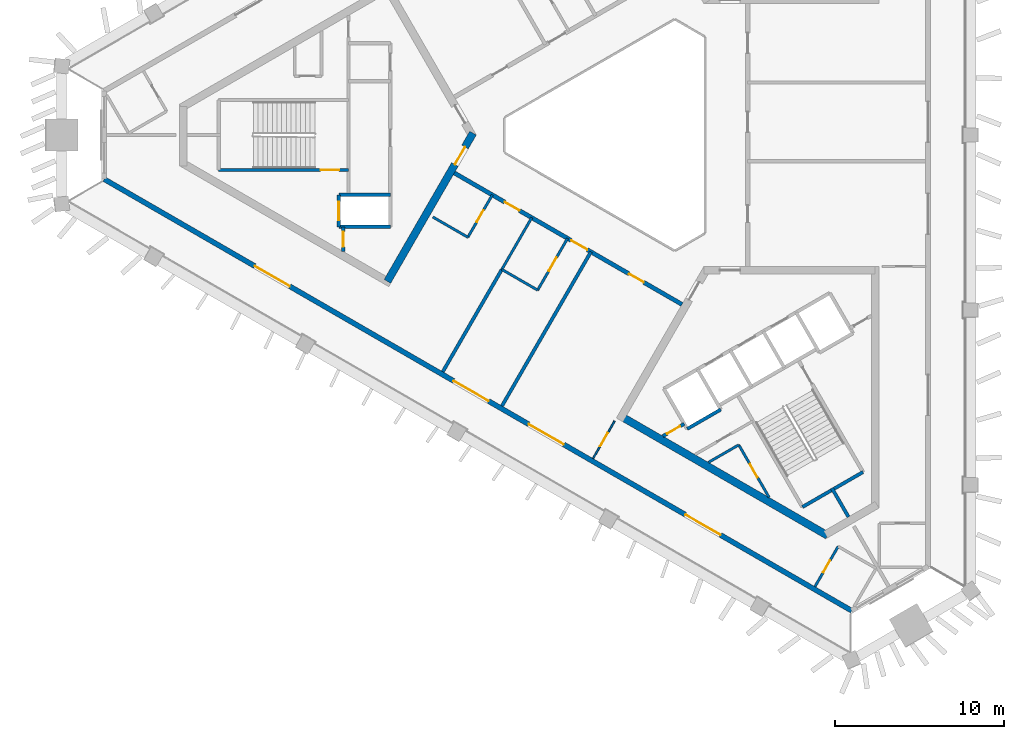
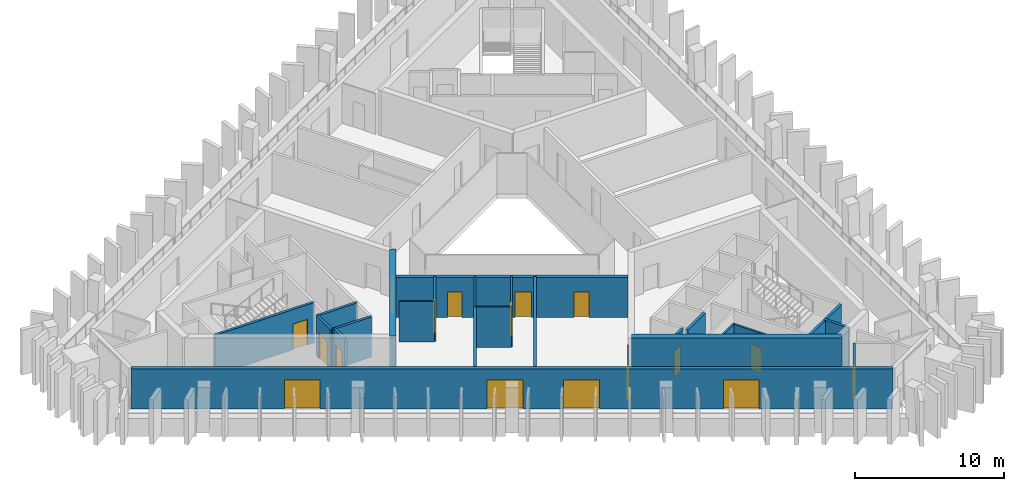
# One storey, part 2 of 9: 24 walls, 17 doors, 17 openings.
"""IFC4 building model written with IfcOpenShell, lengths in metres."""

from ifc_helpers import new_model, si_unit, direction, frame, frame_2d, origin, place, context, subcontext, project, spatial, rectangle, extrude, material, layer, layer_set, type_object, element, fill, save


model = new_model("IFC4")

# Units and contexts
model_context = context("Model", 3, precision=1e-05, world=origin(), true_north=direction((0.0, 1.0)))
body_context = subcontext(model_context, "Body", "Model", "MODEL_VIEW")
ifc_project = project(units=[si_unit("LENGTHUNIT", "METRE"), si_unit("AREAUNIT", "SQUARE_METRE"), si_unit("VOLUMEUNIT", "CUBIC_METRE"), si_unit("PLANEANGLEUNIT", "RADIAN"), si_unit("MASSUNIT", "GRAM", prefix="KILO")], contexts=[model_context])

# Site, building, storey
site_placement = place(None, origin())
site = spatial("IfcSite", under=ifc_project, at=site_placement, CompositionType="ELEMENT")
building_placement = place(site_placement, origin())
building = spatial("IfcBuilding", under=site, at=building_placement, Name="Jabali Bay Hotel Tower and Convention Centre", CompositionType="ELEMENT")
storey_placement = place(building_placement, frame((0.0, 0.0, 213.199951171875)))
storey = spatial("IfcBuildingStorey", under=building, at=storey_placement, Name="L52", CompositionType="ELEMENT", Elevation=213.199951171875)

# Wall, opening, door
ifc_material_1 = material(Name="Concrete C40", Category="concrete")
ifc_layer_1 = layer(ifc_material_1, 0.199951171875)
ifc_layer_set_1 = layer_set([ifc_layer_1], Name="Concrete C40")
wall_type_1 = type_object("IfcWallType", Name="Core partition wall 200", PredefinedType="PARTITIONING", material=ifc_layer_set_1)
wall_1_placement = place(storey_placement, frame((58.10009765625, 74.550048828125, 0.0), z_axis=(0.0, 0.0, 1.0), x_axis=(0.0, -1.0, 0.0)))
wall_1 = element("IfcWall", 1, at=wall_1_placement, inside=storey, type_object=wall_type_1, Name="Core wall 0.10 L52", PredefinedType="PARTITIONING", context=body_context, shape_type="SweptSolid", body=[
    extrude(rectangle(XDim=1.455078125, YDim=0.199951171875, at=frame_2d((0.7275390625, 0.0))), origin(), (0.0, 0.0, 1.0), 3.300048828125),
])
opening_1_placement = place(wall_1_placement, frame((0.277587890625, 0.0, 0.0)))
opening_1 = element("IfcOpeningElement", 2, at=opening_1_placement, cuts=wall_1, Name="Opening D1122", PredefinedType="OPENING", context=body_context, shape_type="SweptSolid", body=[
    extrude(rectangle(XDim=0.89990234375, YDim=2.10009765625, at=frame_2d((0.449951171875, 1.050048828125))), frame((0.0, 0.1103515625, 0.0), z_axis=(0.0, -1.0, 0.0), x_axis=(1.0, 0.0, 0.0)), (0.0, 0.0, 1.0), 0.220947265625),
])
ifc_material_2 = material(Name="Fire-rated steel door", Category="steel")
door_type_1 = type_object("IfcDoorType", Name="Vestibule fire door 900 x 2100", OperationType="NOTDEFINED", PredefinedType="NOTDEFINED", material=ifc_material_2)
door_1_placement = place(opening_1_placement, origin())
door_1 = element("IfcDoor", 3, at=door_1_placement, inside=storey, type_object=door_type_1, Name="Vestibule fire door D1122", OperationType="SINGLE_SWING_LEFT", OverallHeight=2.10009765625, OverallWidth=0.89990234375, PredefinedType="NOTDEFINED", context=body_context, shape_type="SweptSolid", body=[
    extrude(rectangle(XDim=0.89990234375, YDim=2.10009765625, at=frame_2d((0.449951171875, 1.050048828125))), frame((0.0, 0.02490234375, 0.0), z_axis=(0.0, -1.0, 0.0), x_axis=(1.0, 0.0, 0.0)), (0.0, 0.0, 1.0), 0.050048828125),
])
fill(opening_1, door_1)

# Wall
wall_2_placement = place(storey_placement, frame((87.090087890625, 59.0595703125, 0.0), z_axis=(0.0, 0.0, 1.0), x_axis=(0.500011643316, -0.866018681408, 0.0)))
element("IfcWall", 4, at=wall_2_placement, inside=storey, type_object=wall_type_1, Name="Core wall 2.5 L52", PredefinedType="PARTITIONING", context=body_context, shape_type="SweptSolid", body=[
    extrude(rectangle(XDim=1.97314453125, YDim=0.199951171875, at=frame_2d((0.986572265625, 0.0))), origin(), (0.0, 0.0, 1.0), 3.300048828125),
])

# Wall, opening, door
wall_3_placement = place(storey_placement, frame((77.070068359375, 62.142578125, 0.0), z_axis=(0.0, 0.0, 1.0), x_axis=(0.866013036001, 0.500021421018, 0.0)))
wall_3 = element("IfcWall", 5, at=wall_3_placement, inside=storey, type_object=wall_type_1, Name="Core wall 2.11 L52", PredefinedType="PARTITIONING", context=body_context, shape_type="SweptSolid", body=[
    extrude(rectangle(XDim=1.4609375, YDim=0.199951171875, at=frame_2d((0.73046875, 0.0))), origin(), (0.0, 0.0, 1.0), 3.300048828125),
])
opening_2_placement = place(wall_3_placement, frame((0.280517578125, 0.0, 0.0)))
opening_2 = element("IfcOpeningElement", 6, at=opening_2_placement, cuts=wall_3, Name="Opening D1138", PredefinedType="OPENING", context=body_context, shape_type="SweptSolid", body=[
    extrude(rectangle(XDim=0.89990234375, YDim=2.10009765625, at=frame_2d((0.449951171875, 1.050048828125))), frame((0.0, 0.1103515625, 0.0), z_axis=(0.0, -1.0, 0.0), x_axis=(1.0, 0.0, 0.0)), (0.0, 0.0, 1.0), 0.220947265625),
])
door_2_placement = place(opening_2_placement, origin())
door_2 = element("IfcDoor", 7, at=door_2_placement, inside=storey, type_object=door_type_1, Name="Vestibule fire door D1138", OperationType="SINGLE_SWING_LEFT", OverallHeight=2.10009765625, OverallWidth=0.89990234375, PredefinedType="NOTDEFINED", context=body_context, shape_type="SweptSolid", body=[
    extrude(rectangle(XDim=0.89990234375, YDim=2.10009765625, at=frame_2d((0.449951171875, 1.050048828125))), frame((0.0, 0.02490234375, 0.0), z_axis=(0.0, -1.0, 0.0), x_axis=(1.0, 0.0, 0.0)), (0.0, 0.0, 1.0), 0.050048828125),
])
fill(opening_2, door_2)

ifc_material_3 = material(Name="Fire-rated board partition")
ifc_layer_2 = layer(ifc_material_3, 0.14990234375)
ifc_layer_set_2 = layer_set([ifc_layer_2], Name="Fire-rated board partition")
wall_type_2 = type_object("IfcWallType", Name="Core room partition 150", PredefinedType="PARTITIONING", material=ifc_layer_set_2)
wall_4_placement = place(storey_placement, frame((81.56884765625, 61.622314453125, 0.0), z_axis=(0.0, 0.0, 1.0), x_axis=(0.500043557135, -0.866000254601, 0.0)))
wall_4 = element("IfcWall", 8, at=wall_4_placement, inside=storey, type_object=wall_type_2, Name="Core wall 2.1 L52", PredefinedType="PARTITIONING", context=body_context, shape_type="SweptSolid", body=[
    extrude(rectangle(XDim=3.597900390625, YDim=0.14990234375, at=frame_2d((1.798828125, 0.0))), origin(), (0.0, 0.0, 1.0), 3.300048828125),
])
opening_3_placement = place(wall_4_placement, frame((1.321533203125, 0.0, 0.0)))
opening_3 = element("IfcOpeningElement", 9, at=opening_3_placement, cuts=wall_4, Name="Opening D1140", PredefinedType="OPENING", context=body_context, shape_type="SweptSolid", body=[
    extrude(rectangle(XDim=0.89990234375, YDim=2.10009765625, at=frame_2d((0.449951171875, 1.050048828125))), frame((0.0, 0.08544921875, 0.0), z_axis=(0.0, -1.0, 0.0), x_axis=(1.0, 0.0, 0.0)), (0.0, 0.0, 1.0), 0.1708984375),
])
door_type_2 = type_object("IfcDoorType", Name="Core room door 900 x 2100", OperationType="NOTDEFINED", PredefinedType="NOTDEFINED", material=ifc_material_2)
door_3_placement = place(opening_3_placement, origin())
door_3 = element("IfcDoor", 10, at=door_3_placement, inside=storey, type_object=door_type_2, Name="Core room door D1140", OperationType="SINGLE_SWING_LEFT", OverallHeight=2.10009765625, OverallWidth=0.89990234375, PredefinedType="NOTDEFINED", context=body_context, shape_type="SweptSolid", body=[
    extrude(rectangle(XDim=0.89990234375, YDim=2.10009765625, at=frame_2d((0.449951171875, 1.050048828125))), frame((0.0, 0.02490234375, 0.0), z_axis=(0.0, -1.0, 0.0), x_axis=(1.0, 0.0, 0.0)), (0.0, 0.0, 1.0), 0.050048828125),
])
fill(opening_3, door_3)

# Wall
wall_5_placement = place(storey_placement, frame((79.77001953125, 60.583740234375, 0.0), z_axis=(0.0, 0.0, 1.0), x_axis=(0.866021168401, 0.500007335828, 0.0)))
element("IfcWall", 11, at=wall_5_placement, inside=storey, type_object=wall_type_2, Name="Core wall 2.17 L52", PredefinedType="PARTITIONING", context=body_context, shape_type="SweptSolid", body=[
    extrude(rectangle(XDim=2.0771484375, YDim=0.14990234375, at=frame_2d((1.03857421875, 0.0))), origin(), (0.0, 0.0, 1.0), 3.300048828125),
])

# Wall, opening, door
ifc_layer_3 = layer(ifc_material_1, 0.199951171875)
ifc_layer_set_3 = layer_set([ifc_layer_3], Name="Concrete C40")
wall_type_3 = type_object("IfcWallType", Name="Core stair wall 200", PredefinedType="SOLIDWALL", material=ifc_layer_set_3)
wall_6_placement = place(storey_placement, frame((58.419921875, 77.925048828125, 0.0), z_axis=(0.0, 0.0, 1.0), x_axis=(-1.0, 0.0, 0.0)))
wall_6 = element("IfcWall", 12, at=wall_6_placement, inside=storey, type_object=wall_type_3, Name="Core wall 0.5 L52", PredefinedType="SOLIDWALL", context=body_context, shape_type="SweptSolid", body=[
    extrude(rectangle(XDim=7.699951171875, YDim=0.199951171875, at=frame_2d((3.85009765625, 0.0))), origin(), (0.0, 0.0, 1.0), 3.300048828125),
])
opening_4_placement = place(wall_6_placement, frame((0.550048828125, 0.0, 0.0)))
opening_4 = element("IfcOpeningElement", 13, at=opening_4_placement, cuts=wall_6, Name="Opening D1124", PredefinedType="OPENING", context=body_context, shape_type="SweptSolid", body=[
    extrude(rectangle(XDim=1.10009765625, YDim=2.10009765625, at=frame_2d((0.550048828125, 1.050048828125))), frame((0.0, 0.1103515625, 0.0), z_axis=(0.0, -1.0, 0.0), x_axis=(1.0, 0.0, 0.0)), (0.0, 0.0, 1.0), 0.220947265625),
])
door_type_3 = type_object("IfcDoorType", Name="Stair fire door 1100 x 2100", OperationType="NOTDEFINED", PredefinedType="NOTDEFINED", material=ifc_material_2)
door_4_placement = place(opening_4_placement, origin())
door_4 = element("IfcDoor", 14, at=door_4_placement, inside=storey, type_object=door_type_3, Name="Stair fire door D1124", OperationType="SINGLE_SWING_RIGHT", OverallHeight=2.10009765625, OverallWidth=1.10009765625, PredefinedType="NOTDEFINED", context=body_context, shape_type="SweptSolid", body=[
    extrude(rectangle(XDim=1.10009765625, YDim=2.10009765625, at=frame_2d((0.550048828125, 1.050048828125))), frame((0.0, 0.02490234375, 0.0), z_axis=(0.0, -1.0, 0.0), x_axis=(1.0, 0.0, 0.0)), (0.0, 0.0, 1.0), 0.050048828125),
])
fill(opening_4, door_4)

# Walls
for number, where, z_axis, x_axis, name in (
    (15, (60.89990234375, 76.449951171875, 0.0), (0.0, 0.0, 1.0), (-1.0, 0.0, 0.0), "Core wall 0.6 L52"),
    (16, (60.89990234375, 74.550048828125, 0.0), (0.0, 0.0, 1.0), (-1.0, 0.0, 0.0), "Core wall 0.7 L52"),
):
    element("IfcWall", number, at=place(storey_placement, frame(where, z_axis=z_axis, x_axis=x_axis)), inside=storey, type_object=wall_type_3, Name=name, PredefinedType="SOLIDWALL", context=body_context, shape_type="SweptSolid", body=[
        extrude(rectangle(XDim=3.0498046875, YDim=0.199951171875, at=frame_2d((1.52490234375, 0.0))), origin(), (0.0, 0.0, 1.0), 3.300048828125),
    ])

# Wall, opening, door
wall_7_placement = place(storey_placement, frame((57.85009765625, 76.449951171875, 0.0), z_axis=(0.0, 0.0, 1.0), x_axis=(0.0, -1.0, 0.0)))
wall_7 = element("IfcWall", 17, at=wall_7_placement, inside=storey, type_object=wall_type_3, Name="Core wall 0.11 L52", PredefinedType="SOLIDWALL", context=body_context, shape_type="SweptSolid", body=[
    extrude(rectangle(XDim=1.89990234375, YDim=0.199951171875, at=frame_2d((0.949951171875, 0.0))), origin(), (0.0, 0.0, 1.0), 3.300048828125),
])
opening_5_placement = place(wall_7_placement, frame((0.39990234375, 0.0, 0.0)))
opening_5 = element("IfcOpeningElement", 18, at=opening_5_placement, cuts=wall_7, Name="Opening LD5-L52", PredefinedType="OPENING", context=body_context, shape_type="SweptSolid", body=[
    extrude(rectangle(XDim=1.10009765625, YDim=2.10009765625, at=frame_2d((0.550048828125, 1.050048828125))), frame((0.0, 0.1103515625, 0.0), z_axis=(0.0, -1.0, 0.0), x_axis=(1.0, 0.0, 0.0)), (0.0, 0.0, 1.0), 0.220947265625),
])
ifc_material_4 = material(Name="Stainless steel landing door", Category="steel")
door_type_4 = type_object("IfcDoorType", Name="Landing door 1100 x 2100", OperationType="NOTDEFINED", PredefinedType="NOTDEFINED", material=ifc_material_4)
door_5_placement = place(opening_5_placement, origin())
door_5 = element("IfcDoor", 19, at=door_5_placement, inside=storey, type_object=door_type_4, Name="Landing doors LD5-L52", OperationType="SLIDING_TO_RIGHT", OverallHeight=2.10009765625, OverallWidth=1.10009765625, PredefinedType="NOTDEFINED", context=body_context, shape_type="SweptSolid", body=[
    extrude(rectangle(XDim=1.10009765625, YDim=2.10009765625, at=frame_2d((0.550048828125, 1.050048828125))), frame((0.0, 0.02490234375, 0.0), z_axis=(0.0, -1.0, 0.0), x_axis=(1.0, 0.0, 0.0)), (0.0, 0.0, 1.0), 0.050048828125),
])
fill(opening_5, door_5)

# Walls
wall_8_placement = place(storey_placement, frame((78.51025390625, 62.570068359375, 0.0), z_axis=(0.0, 0.0, 1.0), x_axis=(0.866053019151, 0.499952165731, 0.0)))
element("IfcWall", 20, at=wall_8_placement, inside=storey, type_object=wall_type_3, Name="Core wall 2.14 L52", PredefinedType="SOLIDWALL", context=body_context, shape_type="SweptSolid", body=[
    extrude(rectangle(XDim=2.300048828125, YDim=0.199951171875, at=frame_2d((1.14990234375, 0.0))), origin(), (0.0, 0.0, 1.0), 3.300048828125),
])
wall_9_placement = place(storey_placement, frame((85.343017578125, 57.935302734375, 0.0), z_axis=(0.0, 0.0, 1.0), x_axis=(0.866004344652, 0.500036473714, 0.0)))
element("IfcWall", 21, at=wall_9_placement, inside=storey, type_object=wall_type_3, Name="Core wall 2.18 L52", PredefinedType="SOLIDWALL", context=body_context, shape_type="SweptSolid", body=[
    extrude(rectangle(XDim=4.150146484375, YDim=0.199951171875, at=frame_2d((2.0751953125, 0.0))), origin(), (0.0, 0.0, 1.0), 3.300048828125),
])

# Wall, opening, door
ifc_material_5 = material(Name="Concrete C60", Category="concrete")
ifc_layer_4 = layer(ifc_material_5, 0.449951171875)
ifc_layer_set_4 = layer_set([ifc_layer_4], Name="Concrete C60")
wall_type_4 = type_object("IfcWallType", Name="Core wall 450", PredefinedType="SHEAR", material=ifc_layer_set_4)
wall_10_placement = place(storey_placement, frame((60.7275390625, 71.318115234375, 0.0), z_axis=(0.0, 0.0, 1.0), x_axis=(0.500012416173, 0.866018235185, 0.0)))
wall_10 = element("IfcWall", 22, at=wall_10_placement, inside=storey, type_object=wall_type_4, Name="Core wall 1.5 L52", PredefinedType="SHEAR", context=body_context, shape_type="SweptSolid", body=[
    extrude(rectangle(XDim=10.155029296875, YDim=0.449951171875, at=frame_2d((5.07763671875, 0.0))), origin(), (0.0, 0.0, 1.0), 3.699951171875),
])
opening_6_placement = place(wall_10_placement, frame((8.0048828125, 0.0, 0.0)))
opening_6 = element("IfcOpeningElement", 23, at=opening_6_placement, cuts=wall_10, Name="Opening D1119", PredefinedType="OPENING", context=body_context, shape_type="SweptSolid", body=[
    extrude(rectangle(XDim=1.199951171875, YDim=2.10009765625, at=frame_2d((0.60009765625, 1.050048828125))), frame((0.0, 0.2353515625, 0.0), z_axis=(0.0, -1.0, 0.0), x_axis=(1.0, 0.0, 0.0)), (0.0, 0.0, 1.0), 0.470947265625),
])
door_type_5 = type_object("IfcDoorType", Name="Corridor end fire door 1200 x 2100", OperationType="NOTDEFINED", PredefinedType="NOTDEFINED", material=ifc_material_2)
door_6_placement = place(opening_6_placement, origin())
door_6 = element("IfcDoor", 24, at=door_6_placement, inside=storey, type_object=door_type_5, Name="Corridor end fire door D1119", OperationType="SINGLE_SWING_LEFT", OverallHeight=2.10009765625, OverallWidth=1.199951171875, PredefinedType="NOTDEFINED", context=body_context, shape_type="SweptSolid", body=[
    extrude(rectangle(XDim=1.199951171875, YDim=2.10009765625, at=frame_2d((0.60009765625, 1.050048828125))), frame((0.0, 0.02490234375, 0.0), z_axis=(0.0, -1.0, 0.0), x_axis=(1.0, 0.0, 0.0)), (0.0, 0.0, 1.0), 0.050048828125),
])
fill(opening_6, door_6)

# Wall
wall_11_placement = place(storey_placement, frame((74.617431640625, 63.298828125, 0.0), z_axis=(0.0, 0.0, 1.0), x_axis=(0.86602594008, -0.499999071108, 0.0)))
element("IfcWall", 25, at=wall_11_placement, inside=storey, type_object=wall_type_4, Name="Core wall 3.2 L52", PredefinedType="SHEAR", context=body_context, shape_type="SweptSolid", body=[
    extrude(rectangle(XDim=14.1083984375, YDim=0.449951171875, at=frame_2d((7.05419921875, 0.0))), origin(), (0.0, 0.0, 1.0), 3.699951171875),
])

# Wall, openings, doors
ifc_layer_5 = layer(ifc_material_5, 0.25)
ifc_layer_set_5 = layer_set([ifc_layer_5], Name="Concrete C60")
wall_type_5 = type_object("IfcWallType", Name="Corridor wall 250", PredefinedType="SHEAR", material=ifc_layer_set_5)
wall_12_placement = place(storey_placement, frame((64.699951171875, 77.748291015625, 0.0), z_axis=(0.0, 0.0, 1.0), x_axis=(0.866026492143, -0.499998114903, 0.0)))
wall_12 = element("IfcWall", 26, at=wall_12_placement, inside=storey, type_object=wall_type_5, Name="Corridor wall 3 L52", PredefinedType="SHEAR", context=body_context, shape_type="SweptSolid", body=[
    extrude(rectangle(XDim=15.58837890625, YDim=0.25, at=frame_2d((7.794189453125, 0.0))), origin(), (0.0, 0.0, 1.0), 3.300048828125),
])
opening_7_placement = place(wall_12_placement, frame((3.449951171875, 0.0, 0.0)))
opening_7 = element("IfcOpeningElement", 27, at=opening_7_placement, cuts=wall_12, Name="Opening 5215", PredefinedType="OPENING", context=body_context, shape_type="SweptSolid", body=[
    extrude(rectangle(XDim=1.0, YDim=2.10009765625, at=frame_2d((0.5, 1.050048828125))), frame((0.0, 0.135498046875, 0.0), z_axis=(0.0, -1.0, 0.0), x_axis=(1.0, 0.0, 0.0)), (0.0, 0.0, 1.0), 0.27099609375),
])
opening_8_placement = place(wall_12_placement, frame((8.003173828125, 0.0, 0.0)))
opening_8 = element("IfcOpeningElement", 28, at=opening_8_placement, cuts=wall_12, Name="Opening 5217", PredefinedType="OPENING", context=body_context, shape_type="SweptSolid", body=[
    extrude(rectangle(XDim=1.10009765625, YDim=2.10009765625, at=frame_2d((0.550048828125, 1.050048828125))), frame((0.0, 0.135498046875, 0.0), z_axis=(0.0, -1.0, 0.0), x_axis=(1.0, 0.0, 0.0)), (0.0, 0.0, 1.0), 0.27099609375),
])
opening_9_placement = place(wall_12_placement, frame((11.970703125, 0.0, 0.0)))
opening_9 = element("IfcOpeningElement", 29, at=opening_9_placement, cuts=wall_12, Name="Opening 5218", PredefinedType="OPENING", context=body_context, shape_type="SweptSolid", body=[
    extrude(rectangle(XDim=1.0, YDim=2.10009765625, at=frame_2d((0.5, 1.050048828125))), frame((0.0, 0.135498046875, 0.0), z_axis=(0.0, -1.0, 0.0), x_axis=(1.0, 0.0, 0.0)), (0.0, 0.0, 1.0), 0.27099609375),
])
ifc_material_6 = material(Name="Timber", Category="wood")
door_type_6 = type_object("IfcDoorType", Name="Accessible guest room door 1100 x 2100", OperationType="NOTDEFINED", PredefinedType="NOTDEFINED", material=ifc_material_6)
door_7_placement = place(opening_8_placement, origin())
door_7 = element("IfcDoor", 30, at=door_7_placement, inside=storey, type_object=door_type_6, Name="Door 5217", OperationType="SINGLE_SWING_RIGHT", OverallHeight=2.10009765625, OverallWidth=1.10009765625, PredefinedType="NOTDEFINED", context=body_context, shape_type="SweptSolid", body=[
    extrude(rectangle(XDim=1.10009765625, YDim=2.10009765625, at=frame_2d((0.550048828125, 1.050048828125))), frame((0.0, 0.02490234375, 0.0), z_axis=(0.0, -1.0, 0.0), x_axis=(1.0, 0.0, 0.0)), (0.0, 0.0, 1.0), 0.050048828125),
])
fill(opening_8, door_7)
door_type_7 = type_object("IfcDoorType", Name="Guest room door 1000 x 2100", OperationType="NOTDEFINED", PredefinedType="NOTDEFINED", material=ifc_material_6)
door_8_placement = place(opening_7_placement, origin())
door_8 = element("IfcDoor", 31, at=door_8_placement, inside=storey, type_object=door_type_7, Name="Door 5215", OperationType="SINGLE_SWING_LEFT", OverallHeight=2.10009765625, OverallWidth=1.0, PredefinedType="NOTDEFINED", context=body_context, shape_type="SweptSolid", body=[
    extrude(rectangle(XDim=1.0, YDim=2.10009765625, at=frame_2d((0.5, 1.050048828125))), frame((0.0, 0.02490234375, 0.0), z_axis=(0.0, -1.0, 0.0), x_axis=(1.0, 0.0, 0.0)), (0.0, 0.0, 1.0), 0.050048828125),
])
fill(opening_7, door_8)
door_9_placement = place(opening_9_placement, origin())
door_9 = element("IfcDoor", 32, at=door_9_placement, inside=storey, type_object=door_type_7, Name="Door 5218", OperationType="SINGLE_SWING_RIGHT", OverallHeight=2.10009765625, OverallWidth=1.0, PredefinedType="NOTDEFINED", context=body_context, shape_type="SweptSolid", body=[
    extrude(rectangle(XDim=1.0, YDim=2.10009765625, at=frame_2d((0.5, 1.050048828125))), frame((0.0, 0.02490234375, 0.0), z_axis=(0.0, -1.0, 0.0), x_axis=(1.0, 0.0, 0.0)), (0.0, 0.0, 1.0), 0.050048828125),
])
fill(opening_9, door_9)

ifc_layer_6 = layer(ifc_material_1, 0.300048828125)
ifc_layer_set_6 = layer_set([ifc_layer_6], Name="Concrete C40")
wall_type_6 = type_object("IfcWallType", Name="External wall 300", PredefinedType="SOLIDWALL", material=ifc_layer_set_6)
wall_13_placement = place(storey_placement, frame((88.265869140625, 51.78564453125, 0.0), z_axis=(0.0, 0.0, 1.0), x_axis=(-0.866026349667, 0.49999836168, 0.0)))
wall_13 = element("IfcWall", 33, at=wall_13_placement, inside=storey, type_object=wall_type_6, Name="External wall south-west face L52", PredefinedType="SOLIDWALL", context=body_context, shape_type="SweptSolid", body=[
    extrude(rectangle(XDim=51.191650390625, YDim=0.300048828125, at=frame_2d((25.595703125, 0.0))), origin(), (0.0, 0.0, 1.0), 3.300048828125),
])
opening_10_placement = place(wall_13_placement, frame((24.863525390625, 0.0, 0.0)))
opening_10 = element("IfcOpeningElement", 34, at=opening_10_placement, cuts=wall_13, Name="Opening SD1", PredefinedType="OPENING", context=body_context, shape_type="SweptSolid", body=[
    extrude(rectangle(XDim=2.39990234375, YDim=2.39990234375, at=frame_2d((1.199951171875, 1.199951171875))), frame((0.0, 0.16064453125, 0.0), z_axis=(0.0, -1.0, 0.0), x_axis=(1.0, 0.0, 0.0)), (0.0, 0.0, 1.0), 0.321044921875),
])
opening_11_placement = place(wall_13_placement, frame((19.71923828125, 0.0, 0.0)))
opening_11 = element("IfcOpeningElement", 35, at=opening_11_placement, cuts=wall_13, Name="Opening SD1", PredefinedType="OPENING", context=body_context, shape_type="SweptSolid", body=[
    extrude(rectangle(XDim=2.39990234375, YDim=2.39990234375, at=frame_2d((1.199951171875, 1.199951171875))), frame((0.0, 0.16064453125, 0.0), z_axis=(0.0, -1.0, 0.0), x_axis=(1.0, 0.0, 0.0)), (0.0, 0.0, 1.0), 0.321044921875),
])
opening_12_placement = place(wall_13_placement, frame((8.99267578125, 0.0, 0.0)))
opening_12 = element("IfcOpeningElement", 36, at=opening_12_placement, cuts=wall_13, Name="Opening SD1", PredefinedType="OPENING", context=body_context, shape_type="SweptSolid", body=[
    extrude(rectangle(XDim=2.39990234375, YDim=2.39990234375, at=frame_2d((1.199951171875, 1.199951171875))), frame((0.0, 0.16064453125, 0.0), z_axis=(0.0, -1.0, 0.0), x_axis=(1.0, 0.0, 0.0)), (0.0, 0.0, 1.0), 0.321044921875),
])
opening_13_placement = place(wall_13_placement, frame((38.484130859375, 0.0, 0.0)))
opening_13 = element("IfcOpeningElement", 37, at=opening_13_placement, cuts=wall_13, Name="Opening SD1", PredefinedType="OPENING", context=body_context, shape_type="SweptSolid", body=[
    extrude(rectangle(XDim=2.39990234375, YDim=2.39990234375, at=frame_2d((1.199951171875, 1.199951171875))), frame((0.0, 0.16064453125, 0.0), z_axis=(0.0, -1.0, 0.0), x_axis=(1.0, 0.0, 0.0)), (0.0, 0.0, 1.0), 0.321044921875),
])
ifc_material_7 = material(Name="Glass", Category="glass")
door_type_8 = type_object("IfcDoorType", Name="Loggia sliding door 2400 x 2400", OperationType="NOTDEFINED", PredefinedType="NOTDEFINED", material=ifc_material_7)
door_10_placement = place(opening_10_placement, origin())
door_10 = element("IfcDoor", 38, at=door_10_placement, inside=storey, type_object=door_type_8, Name="Loggia sliding door 5207", OperationType="SLIDING_TO_LEFT", OverallHeight=2.39990234375, OverallWidth=2.39990234375, PredefinedType="NOTDEFINED", context=body_context, shape_type="SweptSolid", body=[
    extrude(rectangle(XDim=2.39990234375, YDim=2.39990234375, at=frame_2d((1.199951171875, 1.199951171875))), frame((0.0, 0.02490234375, 0.0), z_axis=(0.0, -1.0, 0.0), x_axis=(1.0, 0.0, 0.0)), (0.0, 0.0, 1.0), 0.050048828125),
])
fill(opening_10, door_10)
door_11_placement = place(opening_11_placement, origin())
door_11 = element("IfcDoor", 39, at=door_11_placement, inside=storey, type_object=door_type_8, Name="Loggia sliding door 5208", OperationType="SLIDING_TO_RIGHT", OverallHeight=2.39990234375, OverallWidth=2.39990234375, PredefinedType="NOTDEFINED", context=body_context, shape_type="SweptSolid", body=[
    extrude(rectangle(XDim=2.39990234375, YDim=2.39990234375, at=frame_2d((1.199951171875, 1.199951171875))), frame((0.0, 0.02490234375, 0.0), z_axis=(0.0, -1.0, 0.0), x_axis=(1.0, 0.0, 0.0)), (0.0, 0.0, 1.0), 0.050048828125),
])
fill(opening_11, door_11)
door_12_placement = place(opening_12_placement, origin())
door_12 = element("IfcDoor", 40, at=door_12_placement, inside=storey, type_object=door_type_8, Name="Loggia sliding door 5208", OperationType="SLIDING_TO_LEFT", OverallHeight=2.39990234375, OverallWidth=2.39990234375, PredefinedType="NOTDEFINED", context=body_context, shape_type="SweptSolid", body=[
    extrude(rectangle(XDim=2.39990234375, YDim=2.39990234375, at=frame_2d((1.199951171875, 1.199951171875))), frame((0.0, 0.02490234375, 0.0), z_axis=(0.0, -1.0, 0.0), x_axis=(1.0, 0.0, 0.0)), (0.0, 0.0, 1.0), 0.050048828125),
])
fill(opening_12, door_12)
door_13_placement = place(opening_13_placement, origin())
door_13 = element("IfcDoor", 41, at=door_13_placement, inside=storey, type_object=door_type_8, Name="Loggia sliding door 5206", OperationType="SLIDING_TO_RIGHT", OverallHeight=2.39990234375, OverallWidth=2.39990234375, PredefinedType="NOTDEFINED", context=body_context, shape_type="SweptSolid", body=[
    extrude(rectangle(XDim=2.39990234375, YDim=2.39990234375, at=frame_2d((1.199951171875, 1.199951171875))), frame((0.0, 0.02490234375, 0.0), z_axis=(0.0, -1.0, 0.0), x_axis=(1.0, 0.0, 0.0)), (0.0, 0.0, 1.0), 0.050048828125),
])
fill(opening_13, door_13)

# Wall, opening, door
ifc_material_8 = material(Name="Plasterboard on steel stud", Category="steel")
ifc_layer_7 = layer(ifc_material_8, 0.10009765625)
ifc_layer_set_7 = layer_set([ifc_layer_7], Name="Plasterboard on steel stud")
wall_type_7 = type_object("IfcWallType", Name="Partition 100 unit", PredefinedType="PARTITIONING", material=ifc_layer_set_7)
wall_14_placement = place(storey_placement, frame((72.923828125, 60.8154296875, 0.0), z_axis=(0.0, 0.0, 1.0), x_axis=(0.49995513091, 0.866051307416, 0.0)))
wall_14 = element("IfcWall", 42, at=wall_14_placement, inside=storey, type_object=wall_type_7, Name="Partition P02 L52 029", PredefinedType="PARTITIONING", context=body_context, shape_type="SweptSolid", body=[
    extrude(rectangle(XDim=2.573486328125, YDim=0.10009765625, at=frame_2d((1.28662109375, 0.0))), origin(), (0.0, 0.0, 1.0), 3.300048828125),
])
opening_14_placement = place(wall_14_placement, frame((0.8369140625, 0.0, 0.0)))
opening_14 = element("IfcOpeningElement", 43, at=opening_14_placement, cuts=wall_14, Name="Opening 5219", PredefinedType="OPENING", context=body_context, shape_type="SweptSolid", body=[
    extrude(rectangle(XDim=0.89990234375, YDim=2.10009765625, at=frame_2d((0.449951171875, 1.050048828125))), frame((0.0, 0.060546875, 0.0), z_axis=(0.0, -1.0, 0.0), x_axis=(1.0, 0.0, 0.0)), (0.0, 0.0, 1.0), 0.12109375),
])
door_type_9 = type_object("IfcDoorType", Name="Internal door 900 x 2100", OperationType="NOTDEFINED", PredefinedType="NOTDEFINED", material=ifc_material_6)
door_14_placement = place(opening_14_placement, origin())
door_14 = element("IfcDoor", 44, at=door_14_placement, inside=storey, type_object=door_type_9, Name="Door 5219", OperationType="SINGLE_SWING_RIGHT", OverallHeight=2.10009765625, OverallWidth=0.89990234375, PredefinedType="NOTDEFINED", context=body_context, shape_type="SweptSolid", body=[
    extrude(rectangle(XDim=0.89990234375, YDim=2.10009765625, at=frame_2d((0.449951171875, 1.050048828125))), frame((0.0, 0.02490234375, 0.0), z_axis=(0.0, -1.0, 0.0), x_axis=(1.0, 0.0, 0.0)), (0.0, 0.0, 1.0), 0.050048828125),
])
fill(opening_14, door_14)

ifc_layer_8 = layer(ifc_material_8, 0.14990234375)
ifc_layer_set_8 = layer_set([ifc_layer_8], Name="Plasterboard on steel stud")
wall_type_8 = type_object("IfcWallType", Name="Partition 150 wet", PredefinedType="PARTITIONING", material=ifc_layer_set_8)
wall_15_placement = place(storey_placement, frame((66.95166015625, 76.4482421875, 0.0), z_axis=(0.0, 0.0, 1.0), x_axis=(-0.499987231761, -0.866032775405, 0.0)))
wall_15 = element("IfcWall", 45, at=wall_15_placement, inside=storey, type_object=wall_type_8, Name="Partition P03 L52 022", PredefinedType="PARTITIONING", context=body_context, shape_type="SweptSolid", body=[
    extrude(rectangle(XDim=2.89990234375, YDim=0.14990234375, at=frame_2d((1.449951171875, 0.0))), origin(), (0.0, 0.0, 1.0), 3.300048828125),
])
opening_15_placement = place(wall_15_placement, frame((1.050048828125, 0.0, 0.0)))
opening_15 = element("IfcOpeningElement", 46, at=opening_15_placement, cuts=wall_15, Name="Opening 5214", PredefinedType="OPENING", context=body_context, shape_type="SweptSolid", body=[
    extrude(rectangle(XDim=0.800048828125, YDim=2.10009765625, at=frame_2d((0.39990234375, 1.050048828125))), frame((0.0, 0.08544921875, 0.0), z_axis=(0.0, -1.0, 0.0), x_axis=(1.0, 0.0, 0.0)), (0.0, 0.0, 1.0), 0.1708984375),
])
door_type_10 = type_object("IfcDoorType", Name="En-suite door 800 x 2100", OperationType="NOTDEFINED", PredefinedType="NOTDEFINED", material=ifc_material_6)
door_15_placement = place(opening_15_placement, origin())
door_15 = element("IfcDoor", 47, at=door_15_placement, inside=storey, type_object=door_type_10, Name="Door 5214", OperationType="SINGLE_SWING_RIGHT", OverallHeight=2.10009765625, OverallWidth=0.800048828125, PredefinedType="NOTDEFINED", context=body_context, shape_type="SweptSolid", body=[
    extrude(rectangle(XDim=0.800048828125, YDim=2.10009765625, at=frame_2d((0.39990234375, 1.050048828125))), frame((0.0, 0.02490234375, 0.0), z_axis=(0.0, -1.0, 0.0), x_axis=(1.0, 0.0, 0.0)), (0.0, 0.0, 1.0), 0.050048828125),
])
fill(opening_15, door_15)

# Walls
wall_16_placement = place(storey_placement, frame((65.501708984375, 73.936767578125, 0.0), z_axis=(0.0, 0.0, 1.0), x_axis=(-0.865994240961, 0.500053971709, 0.0)))
element("IfcWall", 48, at=wall_16_placement, inside=storey, type_object=wall_type_8, Name="Partition P03 L52 023", PredefinedType="PARTITIONING", context=body_context, shape_type="SweptSolid", body=[
    extrude(rectangle(XDim=2.401123046875, YDim=0.14990234375, at=frame_2d((1.20068359375, 0.0))), origin(), (0.0, 0.0, 1.0), 3.300048828125),
])
wall_17_placement = place(storey_placement, frame((67.5166015625, 72.02685546875, 0.0), z_axis=(0.0, 0.0, 1.0), x_axis=(0.500018392462, 0.866014784631, 0.0)))
element("IfcWall", 49, at=wall_17_placement, inside=storey, type_object=wall_type_8, Name="Partition P03 L52 025", PredefinedType="PARTITIONING", context=body_context, shape_type="SweptSolid", body=[
    extrude(rectangle(XDim=3.546630859375, YDim=0.14990234375, at=frame_2d((1.7734375, 0.0))), origin(), (0.0, 0.0, 1.0), 3.300048828125),
])

# Wall, opening, door
wall_18_placement = place(storey_placement, frame((71.414306640625, 73.871826171875, 0.0), z_axis=(0.0, 0.0, 1.0), x_axis=(-0.499966764714, -0.866044591335, 0.0)))
wall_18 = element("IfcWall", 50, at=wall_18_placement, inside=storey, type_object=wall_type_8, Name="Partition P03 L52 026", PredefinedType="PARTITIONING", context=body_context, shape_type="SweptSolid", body=[
    extrude(rectangle(XDim=3.546630859375, YDim=0.14990234375, at=frame_2d((1.7734375, 0.0))), origin(), (0.0, 0.0, 1.0), 3.300048828125),
])
opening_16_placement = place(wall_18_placement, frame((1.322998046875, 0.0, 0.0)))
opening_16 = element("IfcOpeningElement", 51, at=opening_16_placement, cuts=wall_18, Name="Opening 5216", PredefinedType="OPENING", context=body_context, shape_type="SweptSolid", body=[
    extrude(rectangle(XDim=0.89990234375, YDim=2.10009765625, at=frame_2d((0.449951171875, 1.050048828125))), frame((0.0, 0.08544921875, 0.0), z_axis=(0.0, -1.0, 0.0), x_axis=(1.0, 0.0, 0.0)), (0.0, 0.0, 1.0), 0.1708984375),
])
door_type_11 = type_object("IfcDoorType", Name="Accessible en-suite door 900 x 2100", OperationType="NOTDEFINED", PredefinedType="NOTDEFINED", material=ifc_material_6)
door_16_placement = place(opening_16_placement, origin())
door_16 = element("IfcDoor", 52, at=door_16_placement, inside=storey, type_object=door_type_11, Name="Door 5216", OperationType="SINGLE_SWING_LEFT", OverallHeight=2.10009765625, OverallWidth=0.89990234375, PredefinedType="NOTDEFINED", context=body_context, shape_type="SweptSolid", body=[
    extrude(rectangle(XDim=0.89990234375, YDim=2.10009765625, at=frame_2d((0.449951171875, 1.050048828125))), frame((0.0, 0.02490234375, 0.0), z_axis=(0.0, -1.0, 0.0), x_axis=(1.0, 0.0, 0.0)), (0.0, 0.0, 1.0), 0.050048828125),
])
fill(opening_16, door_16)

# Wall
wall_19_placement = place(storey_placement, frame((69.64111328125, 70.80029296875, 0.0), z_axis=(0.0, 0.0, 1.0), x_axis=(-0.866029801145, 0.49999238347, 0.0)))
element("IfcWall", 53, at=wall_19_placement, inside=storey, type_object=wall_type_8, Name="Partition P03 L52 027", PredefinedType="PARTITIONING", context=body_context, shape_type="SweptSolid", body=[
    extrude(rectangle(XDim=2.453125, YDim=0.14990234375, at=frame_2d((1.2265625, 0.0))), origin(), (0.0, 0.0, 1.0), 3.300048828125),
])

# Wall, opening, door
wall_20_placement = place(storey_placement, frame((86.08740234375, 53.215576171875, 0.0), z_axis=(0.0, 0.0, 1.0), x_axis=(0.500052815053, 0.865994908852, 0.0)))
wall_20 = element("IfcWall", 54, at=wall_20_placement, inside=storey, type_object=wall_type_8, Name="Partition P03 L52 030", PredefinedType="PARTITIONING", context=body_context, shape_type="SweptSolid", body=[
    extrude(rectangle(XDim=2.750732421875, YDim=0.14990234375, at=frame_2d((1.37548828125, 0.0))), origin(), (0.0, 0.0, 1.0), 3.300048828125),
])
opening_17_placement = place(wall_20_placement, frame((0.97509765625, 0.0, 0.0)))
opening_17 = element("IfcOpeningElement", 55, at=opening_17_placement, cuts=wall_20, Name="Opening 5220", PredefinedType="OPENING", context=body_context, shape_type="SweptSolid", body=[
    extrude(rectangle(XDim=0.800048828125, YDim=2.10009765625, at=frame_2d((0.39990234375, 1.050048828125))), frame((0.0, 0.08544921875, 0.0), z_axis=(0.0, -1.0, 0.0), x_axis=(1.0, 0.0, 0.0)), (0.0, 0.0, 1.0), 0.1708984375),
])
door_17_placement = place(opening_17_placement, origin())
door_17 = element("IfcDoor", 56, at=door_17_placement, inside=storey, type_object=door_type_10, Name="Door 5220", OperationType="SINGLE_SWING_RIGHT", OverallHeight=2.10009765625, OverallWidth=0.800048828125, PredefinedType="NOTDEFINED", context=body_context, shape_type="SweptSolid", body=[
    extrude(rectangle(XDim=0.800048828125, YDim=2.10009765625, at=frame_2d((0.39990234375, 1.050048828125))), frame((0.0, 0.02490234375, 0.0), z_axis=(0.0, -1.0, 0.0), x_axis=(1.0, 0.0, 0.0)), (0.0, 0.0, 1.0), 0.050048828125),
])
fill(opening_17, door_17)

# Walls
ifc_layer_9 = layer(ifc_material_8, 0.199951171875)
ifc_layer_set_9 = layer_set([ifc_layer_9], Name="Plasterboard on steel stud")
wall_type_9 = type_object("IfcWallType", Name="Partition 200 party", PredefinedType="PARTITIONING", material=ifc_layer_set_9)
wall_21_placement = place(storey_placement, frame((64.013916015625, 65.959716796875, 0.0), z_axis=(0.0, 0.0, 1.0), x_axis=(0.499980879723, 0.8660364426, 0.0)))
element("IfcWall", 57, at=wall_21_placement, inside=storey, type_object=wall_type_9, Name="Partition P01 L52 024", PredefinedType="PARTITIONING", context=body_context, shape_type="SweptSolid", body=[
    extrude(rectangle(XDim=7.005615234375, YDim=0.199951171875, at=frame_2d((3.5029296875, 0.0))), origin(), (0.0, 0.0, 1.0), 3.300048828125),
])
wall_22_placement = place(storey_placement, frame((67.52392578125, 63.93310546875, 0.0), z_axis=(0.0, 0.0, 1.0), x_axis=(0.499993488173, 0.866029163357, 0.0)))
element("IfcWall", 58, at=wall_22_placement, inside=storey, type_object=wall_type_9, Name="Partition P01 L52 028", PredefinedType="PARTITIONING", context=body_context, shape_type="SweptSolid", body=[
    extrude(rectangle(XDim=10.552490234375, YDim=0.199951171875, at=frame_2d((5.2763671875, 0.0))), origin(), (0.0, 0.0, 1.0), 3.300048828125),
])

save(model, "model.ifc")
